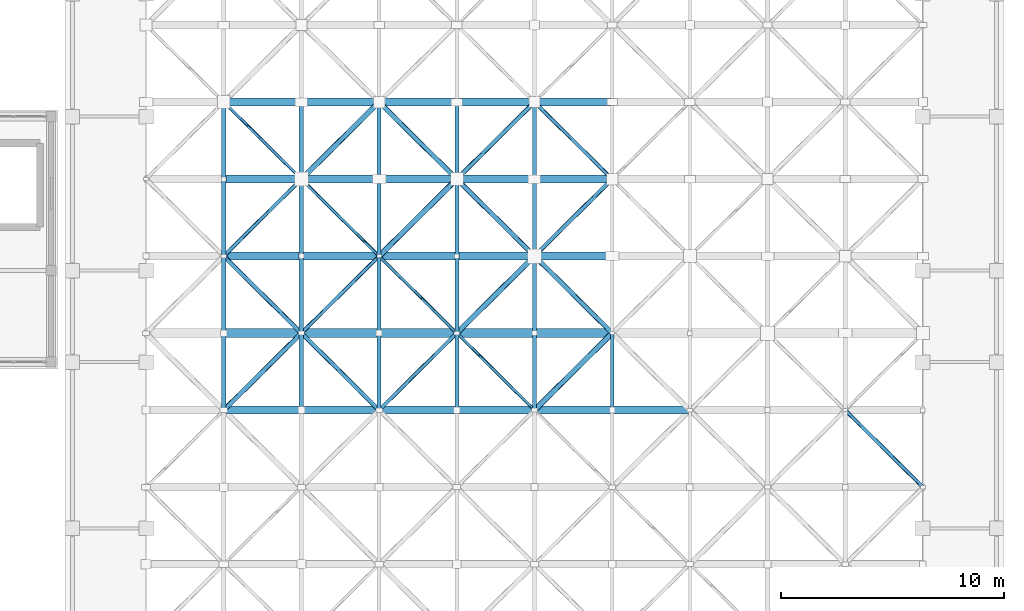
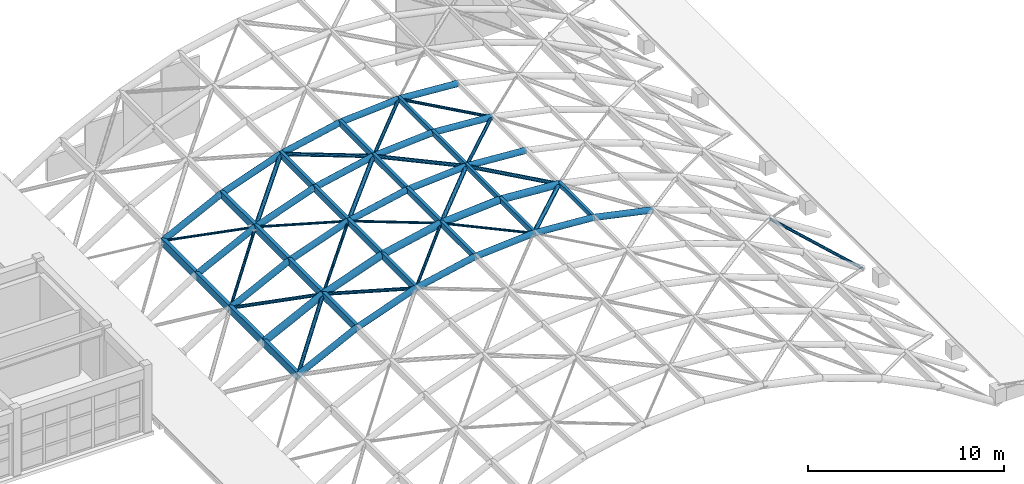
# One storey, part 22 of 52: 68 members.
"""IFC4 building model written with IfcOpenShell, lengths in metres."""

from ifc_helpers import new_model, si_unit, direction, frame, origin, origin_2d, place, context, subcontext, project, spatial, rectangle, hollow_circle, extrude, material, material_profile, profile_set, type_object, element, save


model = new_model("IFC4")

# Units and contexts
model_context = context("Model", 3, precision=1e-05, world=origin(), true_north=direction((0.0, 1.0)))
body_context = subcontext(model_context, "Body", "Model", "MODEL_VIEW")
ifc_project = project(units=[si_unit("LENGTHUNIT", "METRE"), si_unit("AREAUNIT", "SQUARE_METRE"), si_unit("VOLUMEUNIT", "CUBIC_METRE"), si_unit("PLANEANGLEUNIT", "RADIAN"), si_unit("MASSUNIT", "GRAM", prefix="KILO")], contexts=[model_context])

# Site, building, storey
site_placement = place(None, origin())
site = spatial("IfcSite", under=ifc_project, at=site_placement, CompositionType="ELEMENT")
building_placement = place(site_placement, origin())
building = spatial("IfcBuilding", under=site, at=building_placement, Name="Candilejo Ridge Gondola Terminal", CompositionType="ELEMENT")
storey_placement = place(building_placement, frame((0.0, 0.0, 18.60009765625)))
storey = spatial("IfcBuildingStorey", under=building, at=storey_placement, Name="L04", CompositionType="ELEMENT", Elevation=18.60009765625)

# Members
ifc_material_1 = material(Name="Steel ASTM A500 Grade C", Category="steel")
ifc_material_profile_1 = material_profile(ifc_material_1, hollow_circle(Radius=0.06982421875, WallThickness=0.00634765625, at=origin_2d()))
ifc_profile_set_1 = profile_set([ifc_material_profile_1], Name="Steel ASTM A500 Grade C")
member_type_1 = type_object("IfcMemberType", Name="STR-BRC-CHS140", PredefinedType="BRACE", material=ifc_profile_set_1)
member_1_placement = place(storey_placement, frame((154.60009765625, 23.550048828125, 6.0), z_axis=(-0.709256116362, 0.703135834174, -0.050554526043), x_axis=(-0.704036083414, -0.710164201612, 0.0)))
element("IfcMember", 1, at=member_1_placement, inside=storey, type_object=member_type_1, Name="Barrel diagrid diagonal 06-05", PredefinedType="BRACE", context=body_context, shape_type="SweptSolid", body=[
    extrude(hollow_circle(Radius=0.06982421875, WallThickness=0.00634765625, at=origin_2d()), origin(), (0.0, 0.0, 1.0), 4.906494140625),
])
member_2_placement = place(storey_placement, frame((151.1201171875, 27.0, 5.751953125), z_axis=(-0.702139662294, 0.696031958462, -0.150131300643), x_axis=(-0.704011173748, -0.710188895462, 0.0)))
element("IfcMember", 2, at=member_2_placement, inside=storey, type_object=member_type_1, Name="Barrel diagrid diagonal 07-04", PredefinedType="BRACE", context=body_context, shape_type="SweptSolid", body=[
    extrude(hollow_circle(Radius=0.06982421875, WallThickness=0.00634765625, at=origin_2d()), origin(), (0.0, 0.0, 1.0), 4.95654296875),
])
member_3_placement = place(storey_placement, frame((147.639892578125, 30.449951171875, 5.0078125), z_axis=(-0.688464148289, 0.682523283252, -0.24531425629), x_axis=(-0.704036083414, -0.710164201612, 0.0)))
element("IfcMember", 3, at=member_3_placement, inside=storey, type_object=member_type_1, Name="Barrel diagrid diagonal 08-03", PredefinedType="BRACE", context=body_context, shape_type="SweptSolid", body=[
    extrude(hollow_circle(Radius=0.06982421875, WallThickness=0.00634765625, at=origin_2d()), origin(), (0.0, 0.0, 1.0), 5.0546875),
])
member_4_placement = place(storey_placement, frame((144.159912109375, 33.89990234375, 3.767822265625), z_axis=(-0.669384825923, 0.663655560541, -0.333894072704), x_axis=(-0.70406120903, -0.710139291927, 0.0)))
element("IfcMember", 4, at=member_4_placement, inside=storey, type_object=member_type_1, Name="Barrel diagrid diagonal 09-02", PredefinedType="BRACE", context=body_context, shape_type="SweptSolid", body=[
    extrude(hollow_circle(Radius=0.06982421875, WallThickness=0.00634765625, at=origin_2d()), origin(), (0.0, 0.0, 1.0), 5.19873046875),
])
ifc_material_2 = material(Name="Steel ASTM A500 Grade C", Category="steel")
ifc_material_profile_2 = material_profile(ifc_material_2, hollow_circle(Radius=0.084228515625, WallThickness=0.007080078125, at=origin_2d()))
ifc_profile_set_2 = profile_set([ifc_material_profile_2], Name="Steel ASTM A500 Grade C")
member_type_2 = type_object("IfcMemberType", Name="STR-BRC-CHS168", PredefinedType="BRACE", material=ifc_profile_set_2)
member_5_placement = place(storey_placement, frame((172.0, 20.10009765625, -0.2001953125), z_axis=(-0.646271368564, 0.640694591636, 0.414540418323), x_axis=(-0.704036083414, -0.710164201612, 0.0)))
element("IfcMember", 5, at=member_5_placement, inside=storey, type_object=member_type_2, Name="Barrel diagrid diagonal 05-10", PredefinedType="BRACE", context=body_context, shape_type="SweptSolid", body=[
    extrude(hollow_circle(Radius=0.084228515625, WallThickness=0.007080078125, at=origin_2d()), origin(), (0.0, 0.0, 1.0), 5.384765625),
])
member_6_placement = place(storey_placement, frame((147.639892578125, 23.550048828125, 5.0078125), z_axis=(0.702139662294, 0.696031958462, 0.150131300643), x_axis=(-0.704011173748, 0.710188895462, 0.0)))
element("IfcMember", 6, at=member_6_placement, inside=storey, type_object=member_type_2, Name="Barrel diagrid diagonal 06-04", PredefinedType="BRACE", context=body_context, shape_type="SweptSolid", body=[
    extrude(hollow_circle(Radius=0.084228515625, WallThickness=0.007080078125, at=origin_2d()), origin(), (0.0, 0.0, 1.0), 4.95654296875),
])
member_7_placement = place(storey_placement, frame((144.159912109375, 27.0, 3.767822265625), z_axis=(0.688464148289, 0.682523283252, 0.24531425629), x_axis=(-0.704036083414, 0.710164201612, 0.0)))
element("IfcMember", 7, at=member_7_placement, inside=storey, type_object=member_type_2, Name="Barrel diagrid diagonal 07-03", PredefinedType="BRACE", context=body_context, shape_type="SweptSolid", body=[
    extrude(hollow_circle(Radius=0.084228515625, WallThickness=0.007080078125, at=origin_2d()), origin(), (0.0, 0.0, 1.0), 5.0546875),
])
member_8_placement = place(storey_placement, frame((140.679931640625, 30.449951171875, 2.031982421875), z_axis=(0.669405688246, 0.663629281647, 0.333904478983), x_axis=(-0.704036083414, 0.710164201612, 0.0)))
element("IfcMember", 8, at=member_8_placement, inside=storey, type_object=member_type_2, Name="Barrel diagrid diagonal 08-02", PredefinedType="BRACE", context=body_context, shape_type="SweptSolid", body=[
    extrude(hollow_circle(Radius=0.084228515625, WallThickness=0.007080078125, at=origin_2d()), origin(), (0.0, 0.0, 1.0), 5.19873046875),
])
member_9_placement = place(storey_placement, frame((158.080078125, 33.89990234375, 5.751953125), z_axis=(-0.709231302108, 0.703160990696, 0.050552757327), x_axis=(-0.70406120903, -0.710139291927, 0.0)))
element("IfcMember", 9, at=member_9_placement, inside=storey, type_object=member_type_2, Name="Barrel diagrid diagonal 09-06", PredefinedType="BRACE", context=body_context, shape_type="SweptSolid", body=[
    extrude(hollow_circle(Radius=0.084228515625, WallThickness=0.007080078125, at=origin_2d()), origin(), (0.0, 0.0, 1.0), 4.90673828125),
])
ifc_material_3 = material(Name="Steel ASTM A500 Grade C", Category="steel")
ifc_material_profile_3 = material_profile(ifc_material_3, hollow_circle(Radius=0.096923828125, WallThickness=0.0078125, at=origin_2d()))
ifc_profile_set_3 = profile_set([ifc_material_profile_3], Name="Steel ASTM A500 Grade C")
member_type_3 = type_object("IfcMemberType", Name="STR-BRC-CHS193", PredefinedType="BRACE", material=ifc_profile_set_3)
member_10_placement = place(storey_placement, frame((147.639892578125, 23.550048828125, 5.0078125), z_axis=(-0.688464148289, 0.682523283252, -0.24531425629), x_axis=(-0.704036083414, -0.710164201612, 0.0)))
element("IfcMember", 10, at=member_10_placement, inside=storey, type_object=member_type_3, Name="Barrel diagrid diagonal 06-03", PredefinedType="BRACE", context=body_context, shape_type="SweptSolid", body=[
    extrude(hollow_circle(Radius=0.096923828125, WallThickness=0.0078125, at=origin_2d()), origin(), (0.0, 0.0, 1.0), 5.0546875),
])
member_11_placement = place(storey_placement, frame((144.159912109375, 27.0, 3.767822265625), z_axis=(-0.669405688246, 0.663629281647, -0.333904478983), x_axis=(-0.704036083414, -0.710164201612, 0.0)))
element("IfcMember", 11, at=member_11_placement, inside=storey, type_object=member_type_3, Name="Barrel diagrid diagonal 07-02", PredefinedType="BRACE", context=body_context, shape_type="SweptSolid", body=[
    extrude(hollow_circle(Radius=0.096923828125, WallThickness=0.0078125, at=origin_2d()), origin(), (0.0, 0.0, 1.0), 5.19873046875),
])
member_12_placement = place(storey_placement, frame((154.60009765625, 30.449951171875, 6.0), z_axis=(0.709256116362, 0.703135834174, -0.050554526043), x_axis=(-0.704036083414, 0.710164201612, 0.0)))
element("IfcMember", 12, at=member_12_placement, inside=storey, type_object=member_type_3, Name="Barrel diagrid diagonal 08-06", PredefinedType="BRACE", context=body_context, shape_type="SweptSolid", body=[
    extrude(hollow_circle(Radius=0.096923828125, WallThickness=0.0078125, at=origin_2d()), origin(), (0.0, 0.0, 1.0), 4.906494140625),
])
member_13_placement = place(storey_placement, frame((151.1201171875, 33.89990234375, 5.751953125), z_axis=(0.709231302108, 0.703160990696, 0.050552757327), x_axis=(-0.70406120903, 0.710139291927, 0.0)))
element("IfcMember", 13, at=member_13_placement, inside=storey, type_object=member_type_3, Name="Barrel diagrid diagonal 09-05", PredefinedType="BRACE", context=body_context, shape_type="SweptSolid", body=[
    extrude(hollow_circle(Radius=0.096923828125, WallThickness=0.0078125, at=origin_2d()), origin(), (0.0, 0.0, 1.0), 4.90673828125),
])
ifc_material_4 = material(Name="Steel ASTM A500 Grade C", Category="steel")
ifc_material_profile_4 = material_profile(ifc_material_4, hollow_circle(Radius=0.109619140625, WallThickness=0.00830078125, at=origin_2d()))
ifc_profile_set_4 = profile_set([ifc_material_profile_4], Name="Steel ASTM A500 Grade C")
member_type_4 = type_object("IfcMemberType", Name="STR-BRC-CHS219", PredefinedType="BRACE", material=ifc_profile_set_4)
member_14_placement = place(storey_placement, frame((140.679931640625, 23.550048828125, 2.031982421875), z_axis=(0.669405688246, 0.663629281647, 0.333904478983), x_axis=(-0.704036083414, 0.710164201612, 0.0)))
element("IfcMember", 14, at=member_14_placement, inside=storey, type_object=member_type_4, Name="Barrel diagrid diagonal 06-02", PredefinedType="BRACE", context=body_context, shape_type="SweptSolid", body=[
    extrude(hollow_circle(Radius=0.109619140625, WallThickness=0.00830078125, at=origin_2d()), origin(), (0.0, 0.0, 1.0), 5.19873046875),
])
for number, where, z_axis, x_axis, name in (
    (15, (158.080078125, 27.0, 5.751953125), (-0.709256116362, 0.703135834174, 0.050554526043), (-0.704036083414, -0.710164201612, 0.0), "Barrel diagrid diagonal 07-06"),
    (16, (154.60009765625, 30.449951171875, 6.0), (-0.709256116362, 0.703135834174, -0.050554526043), (-0.704036083414, -0.710164201612, 0.0), "Barrel diagrid diagonal 08-05"),
):
    element("IfcMember", number, at=place(storey_placement, frame(where, z_axis=z_axis, x_axis=x_axis)), inside=storey, type_object=member_type_4, Name=name, PredefinedType="BRACE", context=body_context, shape_type="SweptSolid", body=[
        extrude(hollow_circle(Radius=0.109619140625, WallThickness=0.00830078125, at=origin_2d()), origin(), (0.0, 0.0, 1.0), 4.906494140625),
    ])
member_15_placement = place(storey_placement, frame((151.1201171875, 33.89990234375, 5.751953125), z_axis=(-0.702115590858, 0.696057350404, -0.150126153696), x_axis=(-0.704036300223, -0.710163986674, 0.0)))
element("IfcMember", 17, at=member_15_placement, inside=storey, type_object=member_type_4, Name="Barrel diagrid diagonal 09-04", PredefinedType="BRACE", context=body_context, shape_type="SweptSolid", body=[
    extrude(hollow_circle(Radius=0.109619140625, WallThickness=0.00830078125, at=origin_2d()), origin(), (0.0, 0.0, 1.0), 4.956787109375),
])
ifc_material_5 = material(Name="Steel ASTM A500 Grade C", Category="steel")
ifc_material_profile_5 = material_profile(ifc_material_5, hollow_circle(Radius=0.122314453125, WallThickness=0.0087890625, at=origin_2d()))
ifc_profile_set_5 = profile_set([ifc_material_profile_5], Name="Steel ASTM A500 Grade C")
member_type_5 = type_object("IfcMemberType", Name="STR-BRC-CHS244", PredefinedType="BRACE", material=ifc_profile_set_5)
for number, where, z_axis, x_axis, name in (
    (18, (154.60009765625, 23.550048828125, 6.0), (0.709256116362, 0.703135834174, -0.050554526043), (-0.704036083414, 0.710164201612, 0.0), "Barrel diagrid diagonal 06-06"),
    (19, (151.1201171875, 27.0, 5.751953125), (0.709256116362, 0.703135834174, 0.050554526043), (-0.704036083414, 0.710164201612, 0.0), "Barrel diagrid diagonal 07-05"),
):
    element("IfcMember", number, at=place(storey_placement, frame(where, z_axis=z_axis, x_axis=x_axis)), inside=storey, type_object=member_type_5, Name=name, PredefinedType="BRACE", context=body_context, shape_type="SweptSolid", body=[
        extrude(hollow_circle(Radius=0.122314453125, WallThickness=0.0087890625, at=origin_2d()), origin(), (0.0, 0.0, 1.0), 4.906494140625),
    ])
member_16_placement = place(storey_placement, frame((147.639892578125, 30.449951171875, 5.0078125), z_axis=(0.702139662294, 0.696031958462, 0.150131300643), x_axis=(-0.704011173748, 0.710188895462, 0.0)))
element("IfcMember", 20, at=member_16_placement, inside=storey, type_object=member_type_5, Name="Barrel diagrid diagonal 08-04", PredefinedType="BRACE", context=body_context, shape_type="SweptSolid", body=[
    extrude(hollow_circle(Radius=0.122314453125, WallThickness=0.0087890625, at=origin_2d()), origin(), (0.0, 0.0, 1.0), 4.95654296875),
])
member_17_placement = place(storey_placement, frame((144.159912109375, 33.89990234375, 3.767822265625), z_axis=(0.688441452919, 0.682549081848, 0.245306169453), x_axis=(-0.70406120903, 0.710139291927, 0.0)))
element("IfcMember", 21, at=member_17_placement, inside=storey, type_object=member_type_5, Name="Barrel diagrid diagonal 09-03", PredefinedType="BRACE", context=body_context, shape_type="SweptSolid", body=[
    extrude(hollow_circle(Radius=0.122314453125, WallThickness=0.0087890625, at=origin_2d()), origin(), (0.0, 0.0, 1.0), 5.054931640625),
])
ifc_material_6 = material(Name="Glulam GL28h", Category="wood")
ifc_material_profile_6 = material_profile(ifc_material_6, rectangle(XDim=0.159912109375, YDim=0.280029296875, at=origin_2d()))
ifc_profile_set_6 = profile_set([ifc_material_profile_6], Name="Glulam GL28h")
member_type_6 = type_object("IfcMemberType", Name="STR-PUR-GL160X280", PredefinedType="PURLIN", material=ifc_profile_set_6)
member_18_placement = place(storey_placement, frame((158.080078125, 23.550048828125, 5.81201171875), z_axis=(0.0, 1.0, 0.0), x_axis=(-1.0, 0.0, 0.0)))
element("IfcMember", 22, at=member_18_placement, inside=storey, type_object=member_type_6, Name="Glulam roof purlin 06-06", PredefinedType="PURLIN", context=body_context, shape_type="SweptSolid", body=[
    extrude(rectangle(XDim=0.159912109375, YDim=0.280029296875, at=origin_2d()), origin(), (0.0, 0.0, 1.0), 3.449951171875),
])
ifc_material_7 = material(Name="Glulam GL28h", Category="wood")
ifc_material_profile_7 = material_profile(ifc_material_7, rectangle(XDim=0.159912109375, YDim=0.320068359375, at=origin_2d()))
ifc_profile_set_7 = profile_set([ifc_material_profile_7], Name="Glulam GL28h")
member_type_7 = type_object("IfcMemberType", Name="STR-PUR-GL160X320", PredefinedType="PURLIN", material=ifc_profile_set_7)
for number, where, z_axis, x_axis, name in (
    (23, (154.60009765625, 23.550048828125, 6.039794921875), (0.0, 1.0, 0.0), (-1.0, 0.0, 0.0), "Glulam roof purlin 06-05"),
    (24, (154.60009765625, 27.0, 6.039794921875), (0.0, 1.0, 0.0), (-1.0, 0.0, 0.0), "Glulam roof purlin 07-05"),
    (25, (154.60009765625, 30.449951171875, 6.039794921875), (0.0, 1.0, 0.0), (-1.0, 0.0, 0.0), "Glulam roof purlin 08-05"),
):
    element("IfcMember", number, at=place(storey_placement, frame(where, z_axis=z_axis, x_axis=x_axis)), inside=storey, type_object=member_type_7, Name=name, PredefinedType="PURLIN", context=body_context, shape_type="SweptSolid", body=[
        extrude(rectangle(XDim=0.159912109375, YDim=0.320068359375, at=origin_2d()), origin(), (0.0, 0.0, 1.0), 3.449951171875),
    ])
member_19_placement = place(storey_placement, frame((154.60009765625, 33.89990234375, 6.039794921875), z_axis=(0.0, 1.0, 0.0), x_axis=(-1.0, 0.0, 0.0)))
element("IfcMember", 26, at=member_19_placement, inside=storey, type_object=member_type_7, Name="Glulam roof purlin 09-05", PredefinedType="PURLIN", context=body_context, shape_type="SweptSolid", body=[
    extrude(rectangle(XDim=0.159912109375, YDim=0.320068359375, at=origin_2d()), origin(), (0.0, 0.0, 1.0), 3.4501953125),
])
ifc_material_8 = material(Name="Glulam GL28h", Category="wood")
ifc_material_profile_8 = material_profile(ifc_material_8, rectangle(XDim=0.179931640625, YDim=0.360107421875, at=origin_2d()))
ifc_profile_set_8 = profile_set([ifc_material_profile_8], Name="Glulam GL28h")
member_type_8 = type_object("IfcMemberType", Name="STR-PUR-GL180X360", PredefinedType="PURLIN", material=ifc_profile_set_8)
for number, where, z_axis, x_axis, name in (
    (27, (151.1201171875, 23.550048828125, 5.77197265625), (0.0, 1.0, 0.0), (-1.0, 0.0, 0.0), "Glulam roof purlin 06-04"),
    (28, (151.1201171875, 27.0, 5.77197265625), (0.0, 1.0, 0.0), (-1.0, 0.0, 0.0), "Glulam roof purlin 07-04"),
    (29, (151.1201171875, 30.449951171875, 5.77197265625), (0.0, 1.0, 0.0), (-1.0, 0.0, 0.0), "Glulam roof purlin 08-04"),
):
    element("IfcMember", number, at=place(storey_placement, frame(where, z_axis=z_axis, x_axis=x_axis)), inside=storey, type_object=member_type_8, Name=name, PredefinedType="PURLIN", context=body_context, shape_type="SweptSolid", body=[
        extrude(rectangle(XDim=0.179931640625, YDim=0.360107421875, at=origin_2d()), origin(), (0.0, 0.0, 1.0), 3.449951171875),
    ])
member_20_placement = place(storey_placement, frame((151.1201171875, 33.89990234375, 5.77197265625), z_axis=(0.0, 1.0, 0.0), x_axis=(-1.0, 0.0, 0.0)))
element("IfcMember", 30, at=member_20_placement, inside=storey, type_object=member_type_8, Name="Glulam roof purlin 09-04", PredefinedType="PURLIN", context=body_context, shape_type="SweptSolid", body=[
    extrude(rectangle(XDim=0.179931640625, YDim=0.360107421875, at=origin_2d()), origin(), (0.0, 0.0, 1.0), 3.4501953125),
])
ifc_material_9 = material(Name="Glulam GL28h", Category="wood")
ifc_material_profile_9 = material_profile(ifc_material_9, rectangle(XDim=0.179931640625, YDim=0.39990234375, at=origin_2d()))
ifc_profile_set_9 = profile_set([ifc_material_profile_9], Name="Glulam GL28h")
member_type_9 = type_object("IfcMemberType", Name="STR-PUR-GL180X400", PredefinedType="PURLIN", material=ifc_profile_set_9)
for number, where, z_axis, x_axis, name in (
    (31, (147.639892578125, 23.550048828125, 5.0078125), (0.0, 1.0, 0.0), (-1.0, 0.0, 0.0), "Glulam roof purlin 06-03"),
    (32, (147.639892578125, 27.0, 5.0078125), (0.0, 1.0, 0.0), (-1.0, 0.0, 0.0), "Glulam roof purlin 07-03"),
    (33, (147.639892578125, 30.449951171875, 5.0078125), (0.0, 1.0, 0.0), (-1.0, 0.0, 0.0), "Glulam roof purlin 08-03"),
):
    element("IfcMember", number, at=place(storey_placement, frame(where, z_axis=z_axis, x_axis=x_axis)), inside=storey, type_object=member_type_9, Name=name, PredefinedType="PURLIN", context=body_context, shape_type="SweptSolid", body=[
        extrude(rectangle(XDim=0.179931640625, YDim=0.39990234375, at=origin_2d()), origin(), (0.0, 0.0, 1.0), 3.449951171875),
    ])
member_21_placement = place(storey_placement, frame((147.639892578125, 33.89990234375, 5.0078125), z_axis=(0.0, 1.0, 0.0), x_axis=(-1.0, 0.0, 0.0)))
element("IfcMember", 34, at=member_21_placement, inside=storey, type_object=member_type_9, Name="Glulam roof purlin 09-03", PredefinedType="PURLIN", context=body_context, shape_type="SweptSolid", body=[
    extrude(rectangle(XDim=0.179931640625, YDim=0.39990234375, at=origin_2d()), origin(), (0.0, 0.0, 1.0), 3.4501953125),
])
ifc_material_10 = material(Name="Glulam GL28h", Category="wood")
ifc_material_profile_10 = material_profile(ifc_material_10, rectangle(XDim=0.199951171875, YDim=0.43994140625, at=origin_2d()))
ifc_profile_set_10 = profile_set([ifc_material_profile_10], Name="Glulam GL28h")
member_type_10 = type_object("IfcMemberType", Name="STR-PUR-GL200X440", PredefinedType="PURLIN", material=ifc_profile_set_10)
for number, where, z_axis, x_axis, name in (
    (35, (144.159912109375, 23.550048828125, 3.747802734375), (0.0, 1.0, 0.0), (-1.0, 0.0, 0.0), "Glulam roof purlin 06-02"),
    (36, (144.159912109375, 27.0, 3.747802734375), (0.0, 1.0, 0.0), (-1.0, 0.0, 0.0), "Glulam roof purlin 07-02"),
    (37, (144.159912109375, 30.449951171875, 3.747802734375), (0.0, 1.0, 0.0), (-1.0, 0.0, 0.0), "Glulam roof purlin 08-02"),
):
    element("IfcMember", number, at=place(storey_placement, frame(where, z_axis=z_axis, x_axis=x_axis)), inside=storey, type_object=member_type_10, Name=name, PredefinedType="PURLIN", context=body_context, shape_type="SweptSolid", body=[
        extrude(rectangle(XDim=0.199951171875, YDim=0.43994140625, at=origin_2d()), origin(), (0.0, 0.0, 1.0), 3.449951171875),
    ])
member_22_placement = place(storey_placement, frame((144.159912109375, 33.89990234375, 3.747802734375), z_axis=(0.0, 1.0, 0.0), x_axis=(-1.0, 0.0, 0.0)))
element("IfcMember", 38, at=member_22_placement, inside=storey, type_object=member_type_10, Name="Glulam roof purlin 09-02", PredefinedType="PURLIN", context=body_context, shape_type="SweptSolid", body=[
    extrude(rectangle(XDim=0.199951171875, YDim=0.43994140625, at=origin_2d()), origin(), (0.0, 0.0, 1.0), 3.4501953125),
])
ifc_material_11 = material(Name="Glulam GL28h", Category="wood")
ifc_material_profile_11 = material_profile(ifc_material_11, rectangle(XDim=0.199951171875, YDim=0.47998046875, at=origin_2d()))
ifc_profile_set_11 = profile_set([ifc_material_profile_11], Name="Glulam GL28h")
member_type_11 = type_object("IfcMemberType", Name="STR-PUR-GL200X480", PredefinedType="PURLIN", material=ifc_profile_set_11)
for number, where, z_axis, x_axis, name in (
    (39, (140.679931640625, 23.550048828125, 1.991943359375), (0.0, 1.0, 0.0), (-1.0, 0.0, 0.0), "Glulam roof purlin 06-01"),
    (40, (140.679931640625, 27.0, 1.991943359375), (0.0, 1.0, 0.0), (-1.0, 0.0, 0.0), "Glulam roof purlin 07-01"),
    (41, (140.679931640625, 30.449951171875, 1.991943359375), (0.0, 1.0, 0.0), (-1.0, 0.0, 0.0), "Glulam roof purlin 08-01"),
):
    element("IfcMember", number, at=place(storey_placement, frame(where, z_axis=z_axis, x_axis=x_axis)), inside=storey, type_object=member_type_11, Name=name, PredefinedType="PURLIN", context=body_context, shape_type="SweptSolid", body=[
        extrude(rectangle(XDim=0.199951171875, YDim=0.47998046875, at=origin_2d()), origin(), (0.0, 0.0, 1.0), 3.449951171875),
    ])
member_23_placement = place(storey_placement, frame((140.679931640625, 33.89990234375, 1.991943359375), z_axis=(0.0, 1.0, 0.0), x_axis=(-1.0, 0.0, 0.0)))
element("IfcMember", 42, at=member_23_placement, inside=storey, type_object=member_type_11, Name="Glulam roof purlin 09-01", PredefinedType="PURLIN", context=body_context, shape_type="SweptSolid", body=[
    extrude(rectangle(XDim=0.199951171875, YDim=0.47998046875, at=origin_2d()), origin(), (0.0, 0.0, 1.0), 3.4501953125),
])
ifc_material_12 = material(Name="Steel ASTM A500 Grade C", Category="steel")
ifc_material_profile_12 = material_profile(ifc_material_12, hollow_circle(Radius=0.177734375, WallThickness=0.0126953125, at=origin_2d()))
ifc_profile_set_12 = profile_set([ifc_material_profile_12], Name="Steel ASTM A500 Grade C")
member_type_12 = type_object("IfcMemberType", Name="STR-RAF-CHS356", PredefinedType="RAFTER", material=ifc_profile_set_12)
member_24_placement = place(storey_placement, frame((140.679931640625, 23.550048828125, 2.031982421875), z_axis=(0.894853681561, 0.0, 0.446359595615), x_axis=(0.0, 1.0, 0.0)))
element("IfcMember", 43, at=member_24_placement, inside=storey, type_object=member_type_12, Name="Barrel diagrid arch rafter F06-02", PredefinedType="RAFTER", context=body_context, shape_type="SweptSolid", body=[
    extrude(hollow_circle(Radius=0.177734375, WallThickness=0.0126953125, at=origin_2d()), origin(), (0.0, 0.0, 1.0), 3.888916015625),
])
member_25_placement = place(storey_placement, frame((144.159912109375, 23.550048828125, 3.767822265625), z_axis=(0.94198686652, 0.0, 0.335649733061), x_axis=(0.0, 1.0, 0.0)))
element("IfcMember", 44, at=member_25_placement, inside=storey, type_object=member_type_12, Name="Barrel diagrid arch rafter F06-03", PredefinedType="RAFTER", context=body_context, shape_type="SweptSolid", body=[
    extrude(hollow_circle(Radius=0.177734375, WallThickness=0.0126953125, at=origin_2d()), origin(), (0.0, 0.0, 1.0), 3.6943359375),
])
member_26_placement = place(storey_placement, frame((147.639892578125, 23.550048828125, 5.0078125), z_axis=(0.97789568019, 0.0, 0.209093373078), x_axis=(0.0, 1.0, 0.0)))
element("IfcMember", 45, at=member_26_placement, inside=storey, type_object=member_type_12, Name="Barrel diagrid arch rafter F06-04", PredefinedType="RAFTER", context=body_context, shape_type="SweptSolid", body=[
    extrude(hollow_circle(Radius=0.177734375, WallThickness=0.0126953125, at=origin_2d()), origin(), (0.0, 0.0, 1.0), 3.558837890625),
])
for number, where, z_axis, x_axis, name in (
    (46, (151.1201171875, 23.550048828125, 5.751953125), (0.997469345253, 0.0, 0.071097857077), (0.0, 1.0, 0.0), "Barrel diagrid arch rafter F06-05"),
    (47, (154.60009765625, 23.550048828125, 6.0), (0.997469345253, 0.0, -0.071097857077), (0.0, 1.0, 0.0), "Barrel diagrid arch rafter F06-06"),
):
    element("IfcMember", number, at=place(storey_placement, frame(where, z_axis=z_axis, x_axis=x_axis)), inside=storey, type_object=member_type_12, Name=name, PredefinedType="RAFTER", context=body_context, shape_type="SweptSolid", body=[
        extrude(hollow_circle(Radius=0.177734375, WallThickness=0.0126953125, at=origin_2d()), origin(), (0.0, 0.0, 1.0), 3.48876953125),
    ])
member_27_placement = place(storey_placement, frame((158.080078125, 23.550048828125, 5.751953125), z_axis=(0.977892680686, 0.0, -0.209107400781), x_axis=(0.0, 1.0, 0.0)))
element("IfcMember", 48, at=member_27_placement, inside=storey, type_object=member_type_12, Name="Barrel diagrid arch rafter F06-07", PredefinedType="RAFTER", context=body_context, shape_type="SweptSolid", body=[
    extrude(hollow_circle(Radius=0.177734375, WallThickness=0.0126953125, at=origin_2d()), origin(), (0.0, 0.0, 1.0), 3.55859375),
])
member_28_placement = place(storey_placement, frame((140.679931640625, 30.449951171875, 2.031982421875), z_axis=(0.894853681561, 0.0, 0.446359595615), x_axis=(0.0, 1.0, 0.0)))
element("IfcMember", 49, at=member_28_placement, inside=storey, type_object=member_type_12, Name="Barrel diagrid arch rafter F08-02", PredefinedType="RAFTER", context=body_context, shape_type="SweptSolid", body=[
    extrude(hollow_circle(Radius=0.177734375, WallThickness=0.0126953125, at=origin_2d()), origin(), (0.0, 0.0, 1.0), 3.888916015625),
])
member_29_placement = place(storey_placement, frame((144.159912109375, 30.449951171875, 3.767822265625), z_axis=(0.94198686652, 0.0, 0.335649733061), x_axis=(0.0, 1.0, 0.0)))
element("IfcMember", 50, at=member_29_placement, inside=storey, type_object=member_type_12, Name="Barrel diagrid arch rafter F08-03", PredefinedType="RAFTER", context=body_context, shape_type="SweptSolid", body=[
    extrude(hollow_circle(Radius=0.177734375, WallThickness=0.0126953125, at=origin_2d()), origin(), (0.0, 0.0, 1.0), 3.6943359375),
])
member_30_placement = place(storey_placement, frame((147.639892578125, 30.449951171875, 5.0078125), z_axis=(0.97789568019, 0.0, 0.209093373078), x_axis=(0.0, 1.0, 0.0)))
element("IfcMember", 51, at=member_30_placement, inside=storey, type_object=member_type_12, Name="Barrel diagrid arch rafter F08-04", PredefinedType="RAFTER", context=body_context, shape_type="SweptSolid", body=[
    extrude(hollow_circle(Radius=0.177734375, WallThickness=0.0126953125, at=origin_2d()), origin(), (0.0, 0.0, 1.0), 3.558837890625),
])
for number, where, z_axis, x_axis, name in (
    (52, (151.1201171875, 30.449951171875, 5.751953125), (0.997469345253, 0.0, 0.071097857077), (0.0, 1.0, 0.0), "Barrel diagrid arch rafter F08-05"),
    (53, (154.60009765625, 30.449951171875, 6.0), (0.997469345253, 0.0, -0.071097857077), (0.0, 1.0, 0.0), "Barrel diagrid arch rafter F08-06"),
):
    element("IfcMember", number, at=place(storey_placement, frame(where, z_axis=z_axis, x_axis=x_axis)), inside=storey, type_object=member_type_12, Name=name, PredefinedType="RAFTER", context=body_context, shape_type="SweptSolid", body=[
        extrude(hollow_circle(Radius=0.177734375, WallThickness=0.0126953125, at=origin_2d()), origin(), (0.0, 0.0, 1.0), 3.48876953125),
    ])
member_31_placement = place(storey_placement, frame((140.679931640625, 33.89990234375, 2.031982421875), z_axis=(0.894853681561, 0.0, 0.446359595615), x_axis=(0.0, 1.0, 0.0)))
element("IfcMember", 54, at=member_31_placement, inside=storey, type_object=member_type_12, Name="Barrel diagrid arch rafter F09-02", PredefinedType="RAFTER", context=body_context, shape_type="SweptSolid", body=[
    extrude(hollow_circle(Radius=0.177734375, WallThickness=0.0126953125, at=origin_2d()), origin(), (0.0, 0.0, 1.0), 3.888916015625),
])
member_32_placement = place(storey_placement, frame((144.159912109375, 33.89990234375, 3.767822265625), z_axis=(0.94198686652, 0.0, 0.335649733061), x_axis=(0.0, 1.0, 0.0)))
element("IfcMember", 55, at=member_32_placement, inside=storey, type_object=member_type_12, Name="Barrel diagrid arch rafter F09-03", PredefinedType="RAFTER", context=body_context, shape_type="SweptSolid", body=[
    extrude(hollow_circle(Radius=0.177734375, WallThickness=0.0126953125, at=origin_2d()), origin(), (0.0, 0.0, 1.0), 3.6943359375),
])
member_33_placement = place(storey_placement, frame((147.639892578125, 33.89990234375, 5.0078125), z_axis=(0.97789568019, 0.0, 0.209093373078), x_axis=(0.0, 1.0, 0.0)))
element("IfcMember", 56, at=member_33_placement, inside=storey, type_object=member_type_12, Name="Barrel diagrid arch rafter F09-04", PredefinedType="RAFTER", context=body_context, shape_type="SweptSolid", body=[
    extrude(hollow_circle(Radius=0.177734375, WallThickness=0.0126953125, at=origin_2d()), origin(), (0.0, 0.0, 1.0), 3.558837890625),
])
for number, where, z_axis, x_axis, name in (
    (57, (151.1201171875, 33.89990234375, 5.751953125), (0.997469345253, 0.0, 0.071097857077), (0.0, 1.0, 0.0), "Barrel diagrid arch rafter F09-05"),
    (58, (154.60009765625, 33.89990234375, 6.0), (0.997469345253, 0.0, -0.071097857077), (0.0, 1.0, 0.0), "Barrel diagrid arch rafter F09-06"),
):
    element("IfcMember", number, at=place(storey_placement, frame(where, z_axis=z_axis, x_axis=x_axis)), inside=storey, type_object=member_type_12, Name=name, PredefinedType="RAFTER", context=body_context, shape_type="SweptSolid", body=[
        extrude(hollow_circle(Radius=0.177734375, WallThickness=0.0126953125, at=origin_2d()), origin(), (0.0, 0.0, 1.0), 3.48876953125),
    ])
member_34_placement = place(storey_placement, frame((140.679931640625, 37.35009765625, 2.031982421875), z_axis=(0.894853681561, 0.0, 0.446359595615), x_axis=(0.0, 1.0, 0.0)))
element("IfcMember", 59, at=member_34_placement, inside=storey, type_object=member_type_12, Name="Barrel diagrid arch rafter F10-02", PredefinedType="RAFTER", context=body_context, shape_type="SweptSolid", body=[
    extrude(hollow_circle(Radius=0.177734375, WallThickness=0.0126953125, at=origin_2d()), origin(), (0.0, 0.0, 1.0), 3.888916015625),
])
member_35_placement = place(storey_placement, frame((144.159912109375, 37.35009765625, 3.767822265625), z_axis=(0.94198686652, 0.0, 0.335649733061), x_axis=(0.0, 1.0, 0.0)))
element("IfcMember", 60, at=member_35_placement, inside=storey, type_object=member_type_12, Name="Barrel diagrid arch rafter F10-03", PredefinedType="RAFTER", context=body_context, shape_type="SweptSolid", body=[
    extrude(hollow_circle(Radius=0.177734375, WallThickness=0.0126953125, at=origin_2d()), origin(), (0.0, 0.0, 1.0), 3.6943359375),
])
member_36_placement = place(storey_placement, frame((147.639892578125, 37.35009765625, 5.0078125), z_axis=(0.97789568019, 0.0, 0.209093373078), x_axis=(0.0, 1.0, 0.0)))
element("IfcMember", 61, at=member_36_placement, inside=storey, type_object=member_type_12, Name="Barrel diagrid arch rafter F10-04", PredefinedType="RAFTER", context=body_context, shape_type="SweptSolid", body=[
    extrude(hollow_circle(Radius=0.177734375, WallThickness=0.0126953125, at=origin_2d()), origin(), (0.0, 0.0, 1.0), 3.558837890625),
])
for number, where, z_axis, x_axis, name in (
    (62, (151.1201171875, 37.35009765625, 5.751953125), (0.997469345253, 0.0, 0.071097857077), (0.0, 1.0, 0.0), "Barrel diagrid arch rafter F10-05"),
    (63, (154.60009765625, 37.35009765625, 6.0), (0.997469345253, 0.0, -0.071097857077), (0.0, 1.0, 0.0), "Barrel diagrid arch rafter F10-06"),
):
    element("IfcMember", number, at=place(storey_placement, frame(where, z_axis=z_axis, x_axis=x_axis)), inside=storey, type_object=member_type_12, Name=name, PredefinedType="RAFTER", context=body_context, shape_type="SweptSolid", body=[
        extrude(hollow_circle(Radius=0.177734375, WallThickness=0.0126953125, at=origin_2d()), origin(), (0.0, 0.0, 1.0), 3.48876953125),
    ])
ifc_material_13 = material(Name="Steel ASTM A500 Grade C", Category="steel")
ifc_material_profile_13 = material_profile(ifc_material_13, hollow_circle(Radius=0.203125, WallThickness=0.0126953125, at=origin_2d()))
ifc_profile_set_13 = profile_set([ifc_material_profile_13], Name="Steel ASTM A500 Grade C")
member_type_13 = type_object("IfcMemberType", Name="STR-RAF-CHS406", PredefinedType="RAFTER", material=ifc_profile_set_13)
member_37_placement = place(storey_placement, frame((140.679931640625, 27.0, 2.031982421875), z_axis=(0.894853681561, 0.0, 0.446359595615), x_axis=(0.0, 1.0, 0.0)))
element("IfcMember", 64, at=member_37_placement, inside=storey, type_object=member_type_13, Name="Barrel diagrid arch rafter F07-02", PredefinedType="RAFTER", context=body_context, shape_type="SweptSolid", body=[
    extrude(hollow_circle(Radius=0.203125, WallThickness=0.0126953125, at=origin_2d()), origin(), (0.0, 0.0, 1.0), 3.888916015625),
])
member_38_placement = place(storey_placement, frame((144.159912109375, 27.0, 3.767822265625), z_axis=(0.94198686652, 0.0, 0.335649733061), x_axis=(0.0, 1.0, 0.0)))
element("IfcMember", 65, at=member_38_placement, inside=storey, type_object=member_type_13, Name="Barrel diagrid arch rafter F07-03", PredefinedType="RAFTER", context=body_context, shape_type="SweptSolid", body=[
    extrude(hollow_circle(Radius=0.203125, WallThickness=0.0126953125, at=origin_2d()), origin(), (0.0, 0.0, 1.0), 3.6943359375),
])
member_39_placement = place(storey_placement, frame((147.639892578125, 27.0, 5.0078125), z_axis=(0.97789568019, 0.0, 0.209093373078), x_axis=(0.0, 1.0, 0.0)))
element("IfcMember", 66, at=member_39_placement, inside=storey, type_object=member_type_13, Name="Barrel diagrid arch rafter F07-04", PredefinedType="RAFTER", context=body_context, shape_type="SweptSolid", body=[
    extrude(hollow_circle(Radius=0.203125, WallThickness=0.0126953125, at=origin_2d()), origin(), (0.0, 0.0, 1.0), 3.558837890625),
])
for number, where, z_axis, x_axis, name in (
    (67, (151.1201171875, 27.0, 5.751953125), (0.997469345253, 0.0, 0.071097857077), (0.0, 1.0, 0.0), "Barrel diagrid arch rafter F07-05"),
    (68, (154.60009765625, 27.0, 6.0), (0.997469345253, 0.0, -0.071097857077), (0.0, 1.0, 0.0), "Barrel diagrid arch rafter F07-06"),
):
    element("IfcMember", number, at=place(storey_placement, frame(where, z_axis=z_axis, x_axis=x_axis)), inside=storey, type_object=member_type_13, Name=name, PredefinedType="RAFTER", context=body_context, shape_type="SweptSolid", body=[
        extrude(hollow_circle(Radius=0.203125, WallThickness=0.0126953125, at=origin_2d()), origin(), (0.0, 0.0, 1.0), 3.48876953125),
    ])

save(model, "model.ifc")
